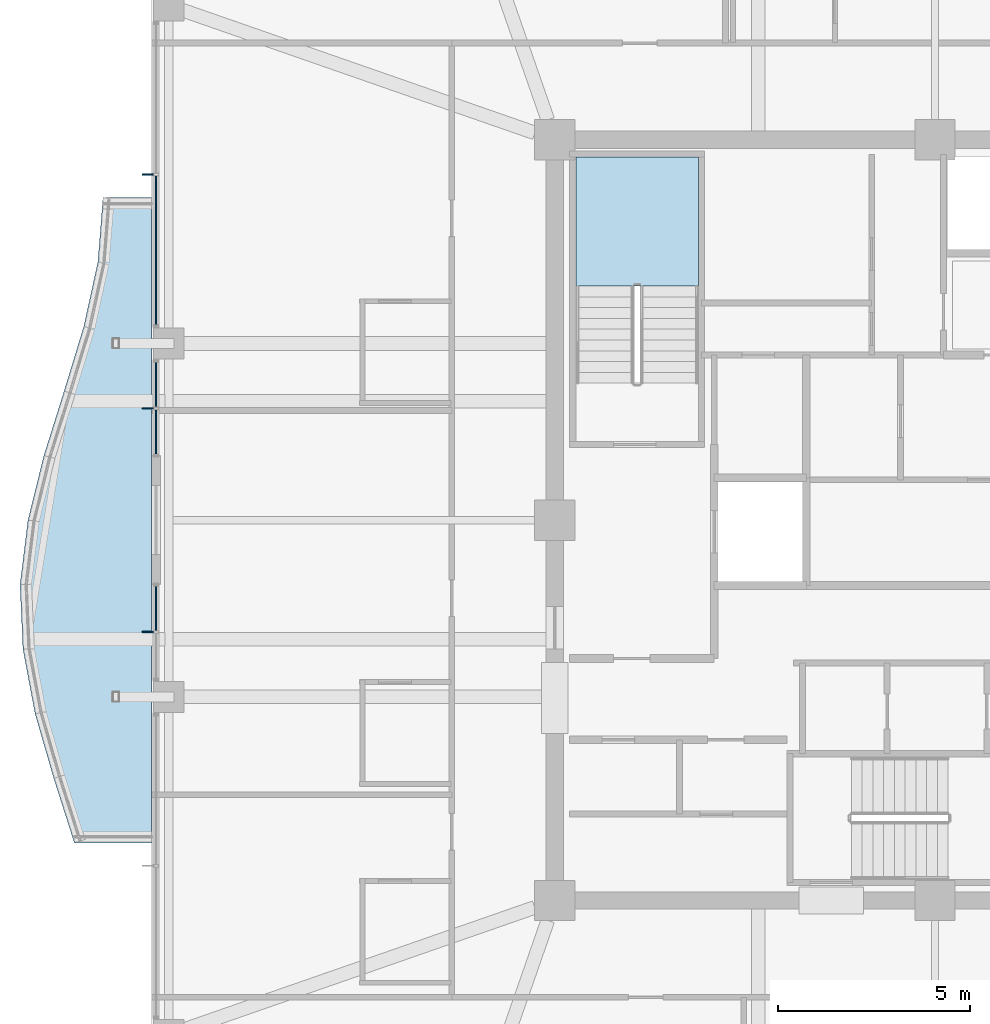
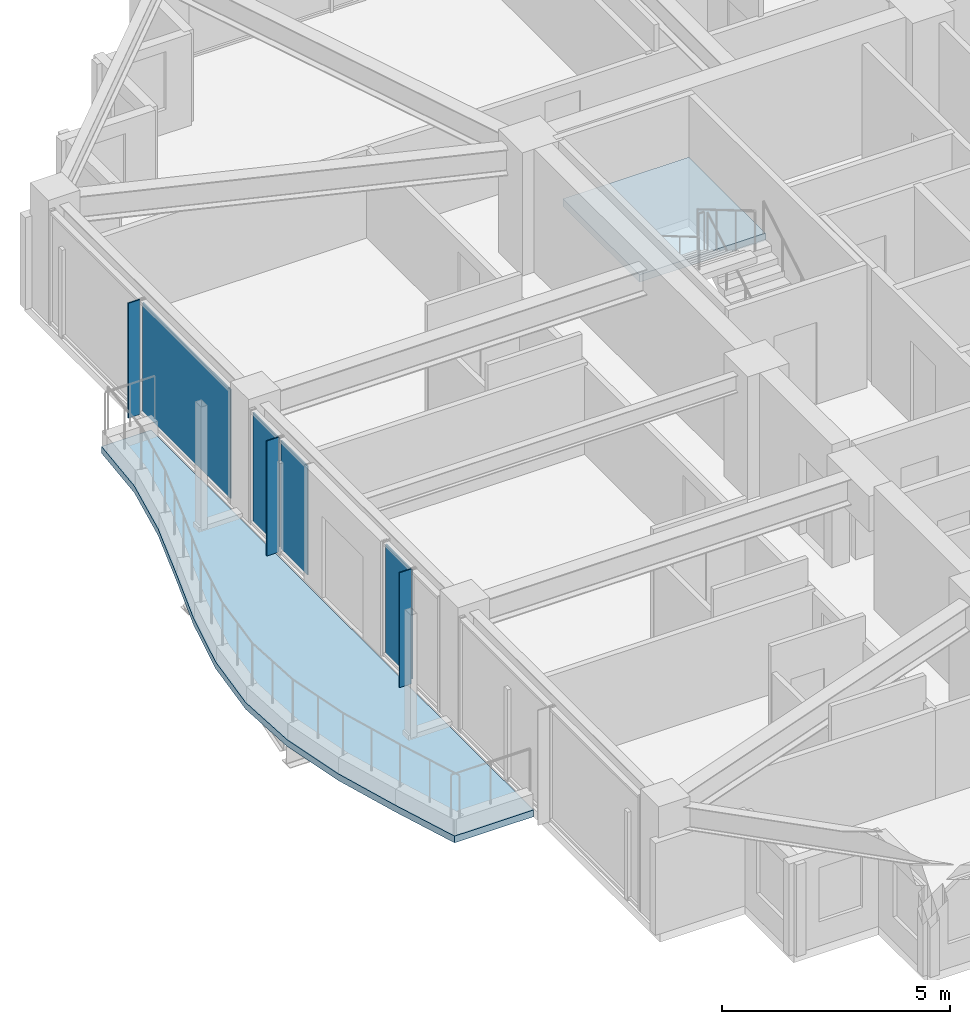
# One storey, part 22 of 33: 7 plates, 2 slabs, 4 elements without a shape of their own.
"""IFC4 building model written with IfcOpenShell, lengths in metres."""

from ifc_helpers import new_model, si_unit, direction, frame, origin, origin_2d, place, context, subcontext, project, spatial, polyline, rectangle, outline, extrude, material, layer, layer_set, type_object, element, aggregate, save


model = new_model("IFC4")

# Units and contexts
model_context = context("Model", 3, precision=1e-05, world=origin(), true_north=direction((0.0, 1.0)))
body_context = subcontext(model_context, "Body", "Model", "MODEL_VIEW")
ifc_project = project(units=[si_unit("LENGTHUNIT", "METRE"), si_unit("AREAUNIT", "SQUARE_METRE"), si_unit("VOLUMEUNIT", "CUBIC_METRE"), si_unit("PLANEANGLEUNIT", "RADIAN"), si_unit("MASSUNIT", "GRAM", prefix="KILO")], contexts=[model_context])

# Site, building, storey
site_placement = place(None, origin())
site = spatial("IfcSite", under=ifc_project, at=site_placement, CompositionType="ELEMENT")
building_placement = place(site_placement, origin())
building = spatial("IfcBuilding", under=site, at=building_placement, Name="Kolvaren Belvedere", CompositionType="ELEMENT")
storey_placement = place(building_placement, frame((0.0, 0.0, 209.699951171875)))
storey = spatial("IfcBuildingStorey", under=building, at=storey_placement, Name="L61", CompositionType="ELEMENT", Elevation=209.699951171875)

# Curtain wall, plate
ifc_material_1 = material(Name="Anodised pale-metal aluminium AA 6063-T6", Category="aluminium")
curtain_wall_type = type_object("IfcCurtainWallType", Name="CW-Z5-HIGH", PredefinedType="NOTDEFINED", material=ifc_material_1)
curtain_wall_1_placement = place(storey_placement, origin())
curtain_wall_1 = element("IfcCurtainWall", 1, at=curtain_wall_1_placement, inside=storey, type_object=curtain_wall_type, Name="L61 Unitised Curtain Wall FCW-L61-W1-B2", PredefinedType="NOTDEFINED")
ifc_material_2 = material(Name="Low-iron triple insulated glass", Category="glass")
ifc_layer_1 = layer(ifc_material_2, 0.028076171875)
ifc_layer_set_1 = layer_set([ifc_layer_1], Name="Low-iron triple insulated glass")
plate_type_1 = type_object("IfcPlateType", Name="CW-PNL-VIS28", PredefinedType="CURTAIN_PANEL", material=ifc_layer_set_1)
plate_1_placement = place(storey_placement, frame((-20.280029296875, -2.296142578125, 0.080078125), z_axis=(0.0, 0.0, 1.0), x_axis=(0.0, 1.0, 0.0)))
plate_1 = element("IfcPlate", 2, at=plate_1_placement, type_object=plate_type_1, Name="FCW-L61-W1-B2 Vision Glazing Panel 2", PredefinedType="CURTAIN_PANEL", context=body_context, shape_type="SweptSolid", body=[
    extrude(rectangle(XDim=1.152587890625, YDim=0.028076171875, at=origin_2d()), origin(), (0.0, 0.0, 1.0), 2.919921875),
])
aggregate(curtain_wall_1, [plate_1])

# Curtain wall, plates
curtain_wall_2_placement = place(storey_placement, origin())
curtain_wall_2 = element("IfcCurtainWall", 3, at=curtain_wall_2_placement, inside=storey, type_object=curtain_wall_type, Name="L61 Unitised Curtain Wall FCW-L61-W2-B1", PredefinedType="NOTDEFINED")
plate_2_placement = place(storey_placement, frame((-20.280029296875, 2.296142578125, 0.080078125), z_axis=(0.0, 0.0, 1.0), x_axis=(0.0, 1.0, 0.0)))
plate_2 = element("IfcPlate", 4, at=plate_2_placement, type_object=plate_type_1, Name="FCW-L61-W2-B1 Vision Glazing Panel 1", PredefinedType="CURTAIN_PANEL", context=body_context, shape_type="SweptSolid", body=[
    extrude(rectangle(XDim=1.152587890625, YDim=0.028076171875, at=origin_2d()), origin(), (0.0, 0.0, 1.0), 2.919921875),
])
plate_3_placement = place(storey_placement, frame((-20.280029296875, 3.52880859375, 0.080078125), z_axis=(0.0, 0.0, 1.0), x_axis=(0.0, 1.0, 0.0)))
plate_3 = element("IfcPlate", 5, at=plate_3_placement, type_object=plate_type_1, Name="FCW-L61-W2-B1 Vision Glazing Panel 2", PredefinedType="CURTAIN_PANEL", context=body_context, shape_type="SweptSolid", body=[
    extrude(rectangle(XDim=1.152587890625, YDim=0.028076171875, at=origin_2d()), origin(), (0.0, 0.0, 1.0), 2.919921875),
])
aggregate(curtain_wall_2, [plate_2, plate_3])

# Curtain wall, plate
curtain_wall_3_placement = place(storey_placement, origin())
curtain_wall_3 = element("IfcCurtainWall", 6, at=curtain_wall_3_placement, inside=storey, type_object=curtain_wall_type, Name="L61 Unitised Curtain Wall FCW-L61-W2-B2", PredefinedType="NOTDEFINED")
plate_4_placement = place(storey_placement, frame((-20.280029296875, 7.027587890625, 0.080078125), z_axis=(0.0, 0.0, 1.0), x_axis=(0.0, 1.0, 0.0)))
plate_4 = element("IfcPlate", 7, at=plate_4_placement, type_object=plate_type_1, Name="FCW-L61-W2-B2 Vision Glazing Panel 1", PredefinedType="CURTAIN_PANEL", context=body_context, shape_type="SweptSolid", body=[
    extrude(rectangle(XDim=3.864990234375, YDim=0.028076171875, at=origin_2d()), origin(), (0.0, 0.0, 1.0), 2.919921875),
])
aggregate(curtain_wall_3, [plate_4])

# Plates
ifc_material_3 = material(Name="Anodised pale-metal aluminium AA 6063-T6", Category="aluminium")
ifc_layer_2 = layer(ifc_material_3, 0.030029296875)
ifc_layer_set_2 = layer_set([ifc_layer_2], Name="Anodised pale-metal aluminium AA 6063-T6")
plate_type_2 = type_object("IfcPlateType", Name="FIN-VERT-300", PredefinedType="USERDEFINED", material=ifc_layer_set_2)
for number, where, z_axis, x_axis, name in (
    (8, (-20.489990234375, -2.91259765625, 0.0), (0.0, 0.0, 1.0), (1.0, 0.0, 0.0), "L61 Pale-Metal Vertical Shading Fin FCW-L61-W1-B2-1"),
    (9, (-20.489990234375, 2.91259765625, 0.0), (0.0, 0.0, 1.0), (1.0, 0.0, 0.0), "L61 Pale-Metal Vertical Shading Fin FCW-L61-W2-B1-1"),
    (10, (-20.489990234375, 9.0, 0.0), (0.0, 0.0, 1.0), (1.0, 0.0, 0.0), "L61 Pale-Metal Vertical Shading Fin FCW-L61-W2-B2-1"),
):
    element("IfcPlate", number, at=place(storey_placement, frame(where, z_axis=z_axis, x_axis=x_axis)), inside=storey, type_object=plate_type_2, Name=name, ObjectType="VERTICAL FIN", PredefinedType="USERDEFINED", context=body_context, shape_type="SweptSolid", body=[
        extrude(rectangle(XDim=0.300048828125, YDim=0.030029296875, at=origin_2d()), origin(), (0.0, 0.0, 1.0), 3.080078125),
    ])

# Slab
ifc_material_4 = material(Name="Concrete C50/60", Category="concrete")
ifc_layer_3 = layer(ifc_material_4, 0.179931640625)
ifc_layer_set_3 = layer_set([ifc_layer_3], Name="Concrete C50/60")
slab_type_1 = type_object("IfcSlabType", Name="SL-BAL-180", PredefinedType="FLOOR", material=ifc_layer_set_3)
slab_1_placement = place(storey_placement, frame((0.0, 0.0, -0.219970703125)))
element("IfcSlab", 11, at=slab_1_placement, inside=storey, type_object=slab_type_1, Name="L61 Planted Balcony BAL-W", PredefinedType="FLOOR", context=body_context, shape_type="SweptSolid", body=[
    extrude(outline(polyline([(-21.659912109375, 8.39990234375), (-21.793701171875, 6.719970703125), (-22.161376953125, 5.0400390625), (-22.672119140625, 3.360107421875), (-23.19970703125, 1.679931640625), (-23.61376953125, 0.0), (-23.820068359375, -1.679931640625), (-23.744140625, -3.360107421875), (-23.428466796875, -5.0400390625), (-22.9423828125, -6.719970703125), (-22.40625, -8.39990234375), (-20.39990234375, -8.39990234375), (-20.39990234375, -6.719970703125), (-20.39990234375, -5.0400390625), (-20.39990234375, -3.360107421875), (-20.39990234375, -1.679931640625), (-20.39990234375, 0.0), (-20.39990234375, 1.679931640625), (-20.39990234375, 3.360107421875), (-20.39990234375, 5.0400390625), (-20.39990234375, 6.719970703125), (-20.39990234375, 8.39990234375), (-21.659912109375, 8.39990234375)])), origin(), (0.0, 0.0, 1.0), 0.179931640625),
])

# Stair, slab
ifc_material_5 = material(Name="Concrete C50/60", Category="concrete")
stair_type = type_object("IfcStairType", Name="ST-CORE-1520", PredefinedType="HALF_TURN_STAIR", material=ifc_material_5)
stair_placement = place(storey_placement, origin())
stair = element("IfcStair", 12, at=stair_placement, inside=storey, type_object=stair_type, Name="L61 Protected Exit Stair ST-1", PredefinedType="HALF_TURN_STAIR")
ifc_material_6 = material(Name="Concrete C50/60", Category="concrete")
ifc_layer_4 = layer(ifc_material_6, 0.260009765625)
ifc_layer_set_4 = layer_set([ifc_layer_4], Name="Concrete C50/60")
slab_type_2 = type_object("IfcSlabType", Name="SL-LAND-260", PredefinedType="LANDING", material=ifc_layer_set_4)
slab_2_placement = place(storey_placement, frame((0.0, 0.0, 1.449951171875)))
slab_2 = element("IfcSlab", 13, at=slab_2_placement, type_object=slab_type_2, Name="ST-1 landing 1", PredefinedType="LANDING", context=body_context, shape_type="SweptSolid", body=[
    extrude(outline(polyline([(-6.159912109375, 6.090087890625), (-6.159912109375, 9.449951171875), (-9.35009765625, 9.449951171875), (-9.35009765625, 6.090087890625), (-6.159912109375, 6.090087890625)])), origin(), (0.0, 0.0, 1.0), 0.2001953125),
])
aggregate(stair, [slab_2])

save(model, "model.ifc")
